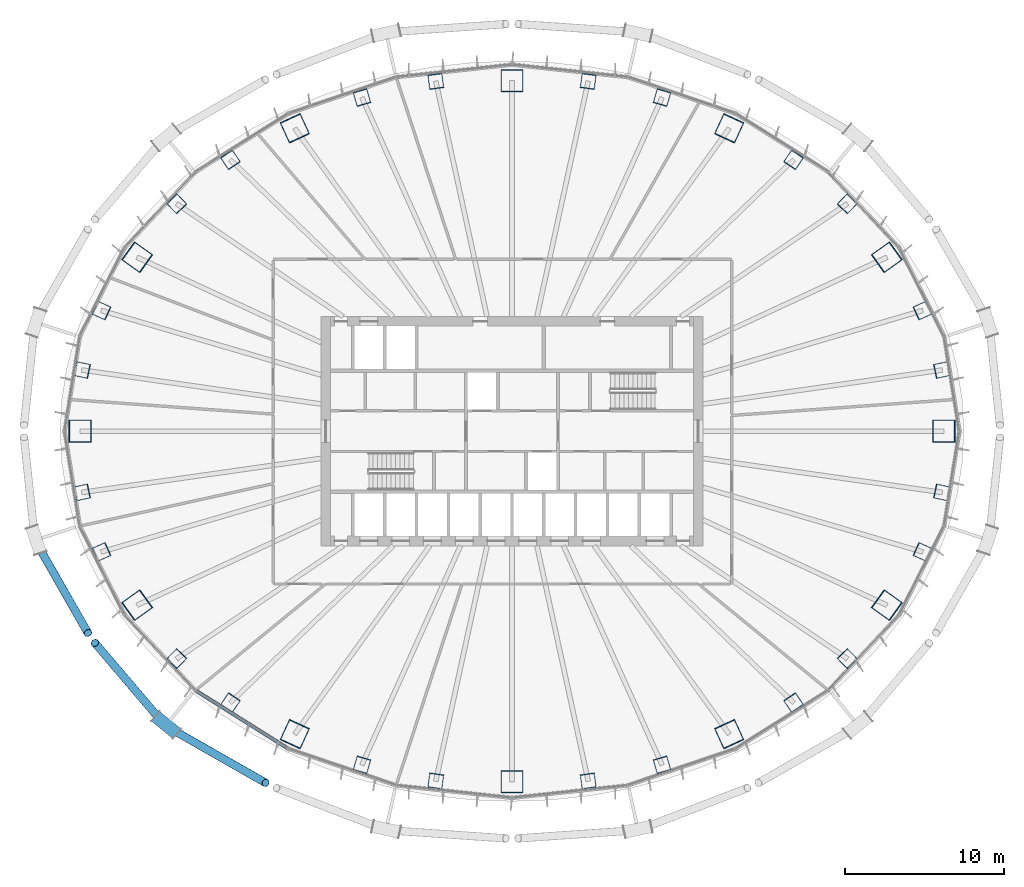
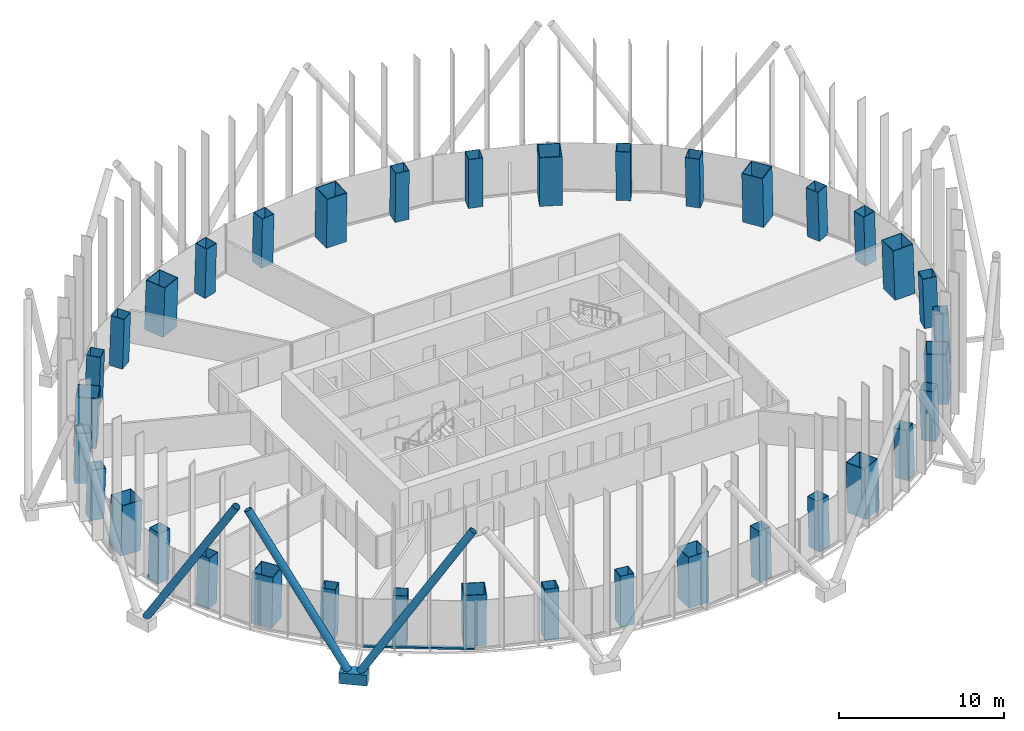
# One storey, part 1 of 22: 36 columns, 5 members, 1 element without a shape of its own.
"""IFC4 building model written with IfcOpenShell, lengths in metres."""

from ifc_helpers import new_model, si_unit, direction, frame, origin, origin_2d, place, context, subcontext, project, spatial, rectangle, hollow_rectangle, hollow_circle, extrude, material, layer, layer_set, material_profile, profile_set, type_object, element, aggregate, save


model = new_model("IFC4")

# Units and contexts
model_context = context("Model", 3, precision=1e-05, world=origin(), true_north=direction((0.0, 1.0)))
body_context = subcontext(model_context, "Body", "Model", "MODEL_VIEW")
ifc_project = project(units=[si_unit("LENGTHUNIT", "METRE"), si_unit("AREAUNIT", "SQUARE_METRE"), si_unit("VOLUMEUNIT", "CUBIC_METRE"), si_unit("PLANEANGLEUNIT", "RADIAN"), si_unit("MASSUNIT", "GRAM", prefix="KILO")], contexts=[model_context])

# Site, building, storey
site_placement = place(None, origin())
site = spatial("IfcSite", under=ifc_project, at=site_placement, CompositionType="ELEMENT")
building_placement = place(site_placement, origin())
building = spatial("IfcBuilding", under=site, at=building_placement, Name="Siaravel Broadcast Tower", CompositionType="ELEMENT")
storey_placement = place(building_placement, frame((0.0, 0.0, 37.10009765625)))
storey = spatial("IfcBuildingStorey", under=building, at=storey_placement, Name="L07", CompositionType="ELEMENT", Elevation=37.10009765625)

# Columns
ifc_material_1 = material(Name="Concrete C70/85", Category="concrete")
ifc_material_profile_1 = material_profile(ifc_material_1, hollow_rectangle(XDim=1.39990234375, YDim=1.39990234375, WallThickness=0.0400390625, at=origin_2d()))
ifc_profile_set_1 = profile_set([ifc_material_profile_1], Name="Concrete C70/85")
column_type_1 = type_object("IfcColumnType", Name="COL-CFT BOX 1400x1400x40", PredefinedType="COLUMN", material=ifc_profile_set_1)
column_1_placement = place(storey_placement, frame((27.158203125, 0.0, 0.0), z_axis=(-0.034555398, 0.0, 0.999402784), x_axis=(0.0, -1.0, 0.0)))
element("IfcColumn", 1, at=column_1_placement, inside=storey, type_object=column_type_1, Name="Megacolumn MC01", PredefinedType="COLUMN", context=body_context, shape_type="SweptSolid", body=[
    extrude(hollow_rectangle(XDim=1.39990234375, YDim=1.39990234375, WallThickness=0.0400390625, at=origin_2d()), origin(), (0.0, 0.0, 1.0), 3.7021484375),
])
column_2_placement = place(storey_placement, frame((23.5732421875, 10.939697265625, 0.0), z_axis=(-0.029940667, -0.01417895, 0.999451106), x_axis=(0.582371418, -0.812901322, 0.005913747)))
element("IfcColumn", 2, at=column_2_placement, inside=storey, type_object=column_type_1, Name="Megacolumn MC02", PredefinedType="COLUMN", context=body_context, shape_type="SweptSolid", body=[
    extrude(hollow_rectangle(XDim=1.39990234375, YDim=1.39990234375, WallThickness=0.0400390625, at=origin_2d()), origin(), (0.0, 0.0, 1.0), 3.701904296875),
])
column_3_placement = place(storey_placement, frame((13.65869140625, 19.05126953125, 0.0), z_axis=(-0.017280209, -0.024601214, 0.999547985), x_axis=(0.908054947, -0.418816376, 0.005390425)))
element("IfcColumn", 3, at=column_3_placement, inside=storey, type_object=column_type_1, Name="Megacolumn MC03", PredefinedType="COLUMN", context=body_context, shape_type="SweptSolid", body=[
    extrude(hollow_rectangle(XDim=1.39990234375, YDim=1.39990234375, WallThickness=0.0400390625, at=origin_2d()), origin(), (0.0, 0.0, 1.0), 3.70166015625),
])
column_4_placement = place(storey_placement, frame((0.0, 22.046630859375, 0.0), z_axis=(0.0, -0.028296154, 0.999599584), x_axis=(1.0, 0.0, 0.0)))
element("IfcColumn", 4, at=column_4_placement, inside=storey, type_object=column_type_1, Name="Megacolumn MC04", PredefinedType="COLUMN", context=body_context, shape_type="SweptSolid", body=[
    extrude(hollow_rectangle(XDim=1.39990234375, YDim=1.39990234375, WallThickness=0.0400390625, at=origin_2d()), origin(), (0.0, 0.0, 1.0), 3.701416015625),
])
column_5_placement = place(storey_placement, frame((-13.65869140625, 19.05126953125, 0.0), z_axis=(0.017280209, -0.024601214, 0.999547985), x_axis=(0.908054947, 0.418816376, -0.005390425)))
element("IfcColumn", 5, at=column_5_placement, inside=storey, type_object=column_type_1, Name="Megacolumn MC05", PredefinedType="COLUMN", context=body_context, shape_type="SweptSolid", body=[
    extrude(hollow_rectangle(XDim=1.39990234375, YDim=1.39990234375, WallThickness=0.0400390625, at=origin_2d()), origin(), (0.0, 0.0, 1.0), 3.70166015625),
])
column_6_placement = place(storey_placement, frame((-23.5732421875, 10.939697265625, 0.0), z_axis=(0.029940667, -0.01417895, 0.999451106), x_axis=(0.582371418, 0.812901322, -0.005913747)))
element("IfcColumn", 6, at=column_6_placement, inside=storey, type_object=column_type_1, Name="Megacolumn MC06", PredefinedType="COLUMN", context=body_context, shape_type="SweptSolid", body=[
    extrude(hollow_rectangle(XDim=1.39990234375, YDim=1.39990234375, WallThickness=0.0400390625, at=origin_2d()), origin(), (0.0, 0.0, 1.0), 3.701904296875),
])
column_7_placement = place(storey_placement, frame((-27.158203125, 0.0, 0.0), z_axis=(0.034555398, 0.0, 0.999402784), x_axis=(0.0, 1.0, 0.0)))
element("IfcColumn", 7, at=column_7_placement, inside=storey, type_object=column_type_1, Name="Megacolumn MC07", PredefinedType="COLUMN", context=body_context, shape_type="SweptSolid", body=[
    extrude(hollow_rectangle(XDim=1.39990234375, YDim=1.39990234375, WallThickness=0.0400390625, at=origin_2d()), origin(), (0.0, 0.0, 1.0), 3.7021484375),
])
column_8_placement = place(storey_placement, frame((-23.5732421875, -10.939697265625, 0.0), z_axis=(0.029940667, 0.01417895, 0.999451106), x_axis=(-0.582371418, 0.812901322, 0.005913747)))
element("IfcColumn", 8, at=column_8_placement, inside=storey, type_object=column_type_1, Name="Megacolumn MC08", PredefinedType="COLUMN", context=body_context, shape_type="SweptSolid", body=[
    extrude(hollow_rectangle(XDim=1.39990234375, YDim=1.39990234375, WallThickness=0.0400390625, at=origin_2d()), origin(), (0.0, 0.0, 1.0), 3.701904296875),
])
column_9_placement = place(storey_placement, frame((-13.65869140625, -19.05126953125, 0.0), z_axis=(0.017280209, 0.024601214, 0.999547985), x_axis=(-0.908054947, 0.418816376, 0.005390425)))
element("IfcColumn", 9, at=column_9_placement, inside=storey, type_object=column_type_1, Name="Megacolumn MC09", PredefinedType="COLUMN", context=body_context, shape_type="SweptSolid", body=[
    extrude(hollow_rectangle(XDim=1.39990234375, YDim=1.39990234375, WallThickness=0.0400390625, at=origin_2d()), origin(), (0.0, 0.0, 1.0), 3.70166015625),
])
column_10_placement = place(storey_placement, frame((0.0, -22.046630859375, 0.0), z_axis=(0.0, 0.028296154, 0.999599584), x_axis=(-1.0, 0.0, 0.0)))
element("IfcColumn", 10, at=column_10_placement, inside=storey, type_object=column_type_1, Name="Megacolumn MC10", PredefinedType="COLUMN", context=body_context, shape_type="SweptSolid", body=[
    extrude(hollow_rectangle(XDim=1.39990234375, YDim=1.39990234375, WallThickness=0.0400390625, at=origin_2d()), origin(), (0.0, 0.0, 1.0), 3.701416015625),
])
column_11_placement = place(storey_placement, frame((13.65869140625, -19.05126953125, 0.0), z_axis=(-0.017280209, 0.024601214, 0.999547985), x_axis=(-0.908054947, -0.418816376, -0.005390425)))
element("IfcColumn", 11, at=column_11_placement, inside=storey, type_object=column_type_1, Name="Megacolumn MC11", PredefinedType="COLUMN", context=body_context, shape_type="SweptSolid", body=[
    extrude(hollow_rectangle(XDim=1.39990234375, YDim=1.39990234375, WallThickness=0.0400390625, at=origin_2d()), origin(), (0.0, 0.0, 1.0), 3.70166015625),
])
column_12_placement = place(storey_placement, frame((23.5732421875, -10.939697265625, 0.0), z_axis=(-0.029940667, 0.01417895, 0.999451106), x_axis=(-0.582371418, -0.812901322, -0.005913747)))
element("IfcColumn", 12, at=column_12_placement, inside=storey, type_object=column_type_1, Name="Megacolumn MC12", PredefinedType="COLUMN", context=body_context, shape_type="SweptSolid", body=[
    extrude(hollow_rectangle(XDim=1.39990234375, YDim=1.39990234375, WallThickness=0.0400390625, at=origin_2d()), origin(), (0.0, 0.0, 1.0), 3.701904296875),
])
ifc_material_profile_2 = material_profile(ifc_material_1, hollow_rectangle(XDim=0.89990234375, YDim=0.89990234375, WallThickness=0.02490234375, at=origin_2d()))
ifc_profile_set_2 = profile_set([ifc_material_profile_2], Name="Concrete C70/85")
column_type_2 = type_object("IfcColumnType", Name="COL-CFT BOX 900x900x25", PredefinedType="COLUMN", material=ifc_profile_set_2)
for number, where, z_axis, x_axis, name in (
    (13, (27.046875, 3.85107421875, 0.0), (-0.034093903, -0.004945924, 0.999406396), (0.212975069, -0.977054612, 0.002430156), "Perimeter column C01"),
    (14, (25.822998046875, 7.591796875, 0.0), (-0.032511791, -0.009694185, 0.999424337), (0.409503806, -0.912297447, 0.004472296), "Perimeter column C02"),
):
    element("IfcColumn", number, at=place(storey_placement, frame(where, z_axis=z_axis, x_axis=x_axis)), inside=storey, type_object=column_type_2, Name=name, PredefinedType="COLUMN", context=body_context, shape_type="SweptSolid", body=[
        extrude(hollow_rectangle(XDim=0.89990234375, YDim=0.89990234375, WallThickness=0.02490234375, at=origin_2d()), origin(), (0.0, 0.0, 1.0), 3.7021484375),
    ])
column_13_placement = place(storey_placement, frame((21.088134765625, 14.305908203125, 0.0), z_axis=(-0.026512179, -0.018202391, 0.999482755), x_axis=(0.719378332, -0.694588684, 0.006432439)))
element("IfcColumn", 15, at=column_13_placement, inside=storey, type_object=column_type_2, Name="Perimeter column C03", PredefinedType="COLUMN", context=body_context, shape_type="SweptSolid", body=[
    extrude(hollow_rectangle(XDim=0.89990234375, YDim=0.89990234375, WallThickness=0.02490234375, at=origin_2d()), origin(), (0.0, 0.0, 1.0), 3.701904296875),
])
column_14_placement = place(storey_placement, frame((17.7109375, 17.072021484375, 0.0), z_axis=(-0.022226156, -0.021698532, 0.999517469), x_axis=(0.827626976, -0.561244066, 0.006219795)))
element("IfcColumn", 16, at=column_14_placement, inside=storey, type_object=column_type_2, Name="Perimeter column C04", PredefinedType="COLUMN", context=body_context, shape_type="SweptSolid", body=[
    extrude(hollow_rectangle(XDim=0.89990234375, YDim=0.89990234375, WallThickness=0.02490234375, at=origin_2d()), origin(), (0.0, 0.0, 1.0), 3.70166015625),
])
for number, where, z_axis, x_axis, name in (
    (17, (9.436279296875, 20.984130859375, 0.0), (-0.011806266, -0.026646544, 0.999575197), (0.959857597, -0.280461209, 0.003860652), "Perimeter column C05"),
    (18, (4.79248046875, 22.003173828125, 0.0), (-0.005936218, -0.027900223, 0.999593087), (0.990401283, -0.138207101, 0.002024052), "Perimeter column C06"),
    (19, (-4.79248046875, 22.003173828125, 0.0), (0.005936218, -0.027900223, 0.999593087), (0.990401283, 0.138207101, -0.002024052), "Perimeter column C07"),
    (20, (-9.436279296875, 20.984130859375, 0.0), (0.011806266, -0.026646544, 0.999575197), (0.959857597, 0.280461209, -0.003860652), "Perimeter column C08"),
):
    element("IfcColumn", number, at=place(storey_placement, frame(where, z_axis=z_axis, x_axis=x_axis)), inside=storey, type_object=column_type_2, Name=name, PredefinedType="COLUMN", context=body_context, shape_type="SweptSolid", body=[
        extrude(hollow_rectangle(XDim=0.89990234375, YDim=0.89990234375, WallThickness=0.02490234375, at=origin_2d()), origin(), (0.0, 0.0, 1.0), 3.701416015625),
    ])
column_15_placement = place(storey_placement, frame((-17.7109375, 17.072021484375, 0.0), z_axis=(0.022226156, -0.021698532, 0.999517469), x_axis=(0.827626976, 0.561244066, -0.006219795)))
element("IfcColumn", 21, at=column_15_placement, inside=storey, type_object=column_type_2, Name="Perimeter column C09", PredefinedType="COLUMN", context=body_context, shape_type="SweptSolid", body=[
    extrude(hollow_rectangle(XDim=0.89990234375, YDim=0.89990234375, WallThickness=0.02490234375, at=origin_2d()), origin(), (0.0, 0.0, 1.0), 3.70166015625),
])
column_16_placement = place(storey_placement, frame((-21.088134765625, 14.305908203125, 0.0), z_axis=(0.026512179, -0.018202391, 0.999482755), x_axis=(0.719378332, 0.694588684, -0.006432439)))
element("IfcColumn", 22, at=column_16_placement, inside=storey, type_object=column_type_2, Name="Perimeter column C10", PredefinedType="COLUMN", context=body_context, shape_type="SweptSolid", body=[
    extrude(hollow_rectangle(XDim=0.89990234375, YDim=0.89990234375, WallThickness=0.02490234375, at=origin_2d()), origin(), (0.0, 0.0, 1.0), 3.701904296875),
])
for number, where, z_axis, x_axis, name in (
    (23, (-25.822998046875, 7.591796875, 0.0), (0.032511791, -0.009694185, 0.999424337), (0.409503806, 0.912297447, -0.004472296), "Perimeter column C11"),
    (24, (-27.046875, 3.85107421875, 0.0), (0.034093903, -0.004945924, 0.999406396), (0.212975069, 0.977054612, -0.002430156), "Perimeter column C12"),
    (25, (-27.046875, -3.85107421875, 0.0), (0.034093903, 0.004945924, 0.999406396), (-0.212975069, 0.977054612, 0.002430156), "Perimeter column C13"),
    (26, (-25.822998046875, -7.591796875, 0.0), (0.032511791, 0.009694185, 0.999424337), (-0.409503806, 0.912297447, 0.004472296), "Perimeter column C14"),
):
    element("IfcColumn", number, at=place(storey_placement, frame(where, z_axis=z_axis, x_axis=x_axis)), inside=storey, type_object=column_type_2, Name=name, PredefinedType="COLUMN", context=body_context, shape_type="SweptSolid", body=[
        extrude(hollow_rectangle(XDim=0.89990234375, YDim=0.89990234375, WallThickness=0.02490234375, at=origin_2d()), origin(), (0.0, 0.0, 1.0), 3.7021484375),
    ])
column_17_placement = place(storey_placement, frame((-21.088134765625, -14.305908203125, 0.0), z_axis=(0.026512179, 0.018202391, 0.999482755), x_axis=(-0.719378332, 0.694588684, 0.006432439)))
element("IfcColumn", 27, at=column_17_placement, inside=storey, type_object=column_type_2, Name="Perimeter column C15", PredefinedType="COLUMN", context=body_context, shape_type="SweptSolid", body=[
    extrude(hollow_rectangle(XDim=0.89990234375, YDim=0.89990234375, WallThickness=0.02490234375, at=origin_2d()), origin(), (0.0, 0.0, 1.0), 3.701904296875),
])
column_18_placement = place(storey_placement, frame((-17.7109375, -17.072021484375, 0.0), z_axis=(0.022226156, 0.021698532, 0.999517469), x_axis=(-0.827626976, 0.561244066, 0.006219795)))
element("IfcColumn", 28, at=column_18_placement, inside=storey, type_object=column_type_2, Name="Perimeter column C16", PredefinedType="COLUMN", context=body_context, shape_type="SweptSolid", body=[
    extrude(hollow_rectangle(XDim=0.89990234375, YDim=0.89990234375, WallThickness=0.02490234375, at=origin_2d()), origin(), (0.0, 0.0, 1.0), 3.70166015625),
])
for number, where, z_axis, x_axis, name in (
    (29, (-9.436279296875, -20.984130859375, 0.0), (0.011806266, 0.026646544, 0.999575197), (-0.959857597, 0.280461209, 0.003860652), "Perimeter column C17"),
    (30, (-4.79248046875, -22.003173828125, 0.0), (0.005936218, 0.027900223, 0.999593087), (-0.990401283, 0.138207101, 0.002024052), "Perimeter column C18"),
    (31, (4.79248046875, -22.003173828125, 0.0), (-0.005936218, 0.027900223, 0.999593087), (-0.990401283, -0.138207101, -0.002024052), "Perimeter column C19"),
    (32, (9.436279296875, -20.984130859375, 0.0), (-0.011806266, 0.026646544, 0.999575197), (-0.959857597, -0.280461209, -0.003860652), "Perimeter column C20"),
):
    element("IfcColumn", number, at=place(storey_placement, frame(where, z_axis=z_axis, x_axis=x_axis)), inside=storey, type_object=column_type_2, Name=name, PredefinedType="COLUMN", context=body_context, shape_type="SweptSolid", body=[
        extrude(hollow_rectangle(XDim=0.89990234375, YDim=0.89990234375, WallThickness=0.02490234375, at=origin_2d()), origin(), (0.0, 0.0, 1.0), 3.701416015625),
    ])
column_19_placement = place(storey_placement, frame((17.7109375, -17.072021484375, 0.0), z_axis=(-0.022226156, 0.021698532, 0.999517469), x_axis=(-0.827626976, -0.561244066, -0.006219795)))
element("IfcColumn", 33, at=column_19_placement, inside=storey, type_object=column_type_2, Name="Perimeter column C21", PredefinedType="COLUMN", context=body_context, shape_type="SweptSolid", body=[
    extrude(hollow_rectangle(XDim=0.89990234375, YDim=0.89990234375, WallThickness=0.02490234375, at=origin_2d()), origin(), (0.0, 0.0, 1.0), 3.70166015625),
])
column_20_placement = place(storey_placement, frame((21.088134765625, -14.305908203125, 0.0), z_axis=(-0.026512179, 0.018202391, 0.999482755), x_axis=(-0.719378332, -0.694588684, -0.006432439)))
element("IfcColumn", 34, at=column_20_placement, inside=storey, type_object=column_type_2, Name="Perimeter column C22", PredefinedType="COLUMN", context=body_context, shape_type="SweptSolid", body=[
    extrude(hollow_rectangle(XDim=0.89990234375, YDim=0.89990234375, WallThickness=0.02490234375, at=origin_2d()), origin(), (0.0, 0.0, 1.0), 3.701904296875),
])
for number, where, z_axis, x_axis, name in (
    (35, (25.822998046875, -7.591796875, 0.0), (-0.032511791, 0.009694185, 0.999424337), (-0.409503806, -0.912297447, -0.004472296), "Perimeter column C23"),
    (36, (27.046875, -3.85107421875, 0.0), (-0.034093903, 0.004945924, 0.999406396), (-0.212975069, -0.977054612, -0.002430156), "Perimeter column C24"),
):
    element("IfcColumn", number, at=place(storey_placement, frame(where, z_axis=z_axis, x_axis=x_axis)), inside=storey, type_object=column_type_2, Name=name, PredefinedType="COLUMN", context=body_context, shape_type="SweptSolid", body=[
        extrude(hollow_rectangle(XDim=0.89990234375, YDim=0.89990234375, WallThickness=0.02490234375, at=origin_2d()), origin(), (0.0, 0.0, 1.0), 3.7021484375),
    ])

# Curtain wall, member
ifc_material_2 = material(Name="Aluminium 6063-T6", Category="aluminium")
ifc_layer = layer(ifc_material_2, 0.219970703125)
ifc_layer_set = layer_set([ifc_layer], Name="Aluminium 6063-T6")
curtain_wall_type = type_object("IfcCurtainWallType", Name="Unitised curtain wall, zone 1", PredefinedType="NOTDEFINED", material=ifc_layer_set)
curtain_wall_placement = place(storey_placement, origin())
curtain_wall = element("IfcCurtainWall", 37, at=curtain_wall_placement, inside=storey, type_object=curtain_wall_type, Name="L07 Unitised curtain wall, zone 1 08", PredefinedType="NOTDEFINED")
ifc_material_profile_3 = material_profile(ifc_material_2, rectangle(XDim=0.219970703125, YDim=0.1201171875, at=origin_2d()))
ifc_profile_set_3 = profile_set([ifc_material_profile_3], Name="Aluminium 6063-T6")
member_type_1 = type_object("IfcMemberType", Name="CW-Z1 transom", PredefinedType="USERDEFINED", material=ifc_profile_set_3)
member_1_placement = place(storey_placement, frame((-19.847900390625, -16.313232421875, 0.059814453125), z_axis=(0.846656967, -0.532139062, 0.0), x_axis=(0.532139062, 0.846656967, 0.0)))
member_1 = element("IfcMember", 38, at=member_1_placement, type_object=member_type_1, Name="CW-Z1 transom 2", ObjectType="TRANSOM", PredefinedType="USERDEFINED", context=body_context, shape_type="SweptSolid", body=[
    extrude(rectangle(XDim=0.219970703125, YDim=0.1201171875, at=origin_2d()), origin(), (0.0, 0.0, 1.0), 6.772705078125),
])
aggregate(curtain_wall, [member_1])

# Members
ifc_material_3 = material(Name="Steel S460", Category="steel")
ifc_material_profile_4 = material_profile(ifc_material_3, hollow_circle(Radius=0.25390625, WallThickness=0.02001953125, at=origin_2d()))
ifc_profile_set_4 = profile_set([ifc_material_profile_4], Name="Steel S460")
member_type_2 = type_object("IfcMemberType", Name="Diagrid diagonal CHS 508x20", PredefinedType="BRACE", material=ifc_profile_set_4)
member_2_placement = place(storey_placement, frame((-29.788818359375, -7.190673828125, 0.169921875), z_axis=(0.257704977, -0.450853435, 0.854587225), x_axis=(0.868181384, 0.496246999, 0.0)))
element("IfcMember", 39, at=member_2_placement, inside=storey, type_object=member_type_2, Name="Diagrid diagonal R04 station 39A", PredefinedType="BRACE", context=body_context, shape_type="SweptSolid", body=[
    extrude(hollow_circle(Radius=0.25390625, WallThickness=0.02001953125, at=origin_2d()), origin(), (0.0, 0.0, 1.0), 12.18115234375),
])
member_3_placement = place(storey_placement, frame((-22.025390625, -18.222412109375, 0.169921875), z_axis=(-0.341753532, 0.401555418, 0.849680981), x_axis=(-0.761535421, -0.648123293, 0.0)))
element("IfcMember", 40, at=member_3_placement, inside=storey, type_object=member_type_2, Name="Diagrid diagonal R04 station 45C", PredefinedType="BRACE", context=body_context, shape_type="SweptSolid", body=[
    extrude(hollow_circle(Radius=0.25390625, WallThickness=0.02001953125, at=origin_2d()), origin(), (0.0, 0.0, 1.0), 12.25146484375),
])
member_4_placement = place(storey_placement, frame((-21.4384765625, -18.703125, 0.169921875), z_axis=(0.477526586, -0.272371369, 0.835333584), x_axis=(0.495451824, 0.868635418, 0.0)))
element("IfcMember", 41, at=member_4_placement, inside=storey, type_object=member_type_2, Name="Diagrid diagonal R04 station 45A", PredefinedType="BRACE", context=body_context, shape_type="SweptSolid", body=[
    extrude(hollow_circle(Radius=0.25390625, WallThickness=0.02001953125, at=origin_2d()), origin(), (0.0, 0.0, 1.0), 12.4619140625),
])
ifc_material_profile_5 = material_profile(ifc_material_3, hollow_rectangle(XDim=0.800048828125, YDim=0.800048828125, WallThickness=0.050048828125, at=origin_2d()))
ifc_profile_set_5 = profile_set([ifc_material_profile_5], Name="Steel S460")
member_type_3 = type_object("IfcMemberType", Name="Diagrid node BOX 800x800x50", PredefinedType="USERDEFINED", material=ifc_profile_set_5)
member_5_placement = place(storey_placement, frame((-22.397705078125, -17.91748046875, -0.2001953125), z_axis=(0.773634883, -0.63363165, 0.0), x_axis=(0.63363165, 0.773634883, 0.0)))
element("IfcMember", 42, at=member_5_placement, inside=storey, type_object=member_type_3, Name="Diagrid node R04 station 45", ObjectType="DIAGRID NODE", PredefinedType="USERDEFINED", context=body_context, shape_type="SweptSolid", body=[
    extrude(hollow_rectangle(XDim=0.800048828125, YDim=0.800048828125, WallThickness=0.050048828125, at=origin_2d()), origin(), (0.0, 0.0, 1.0), 1.72119140625),
])

save(model, "model.ifc")
